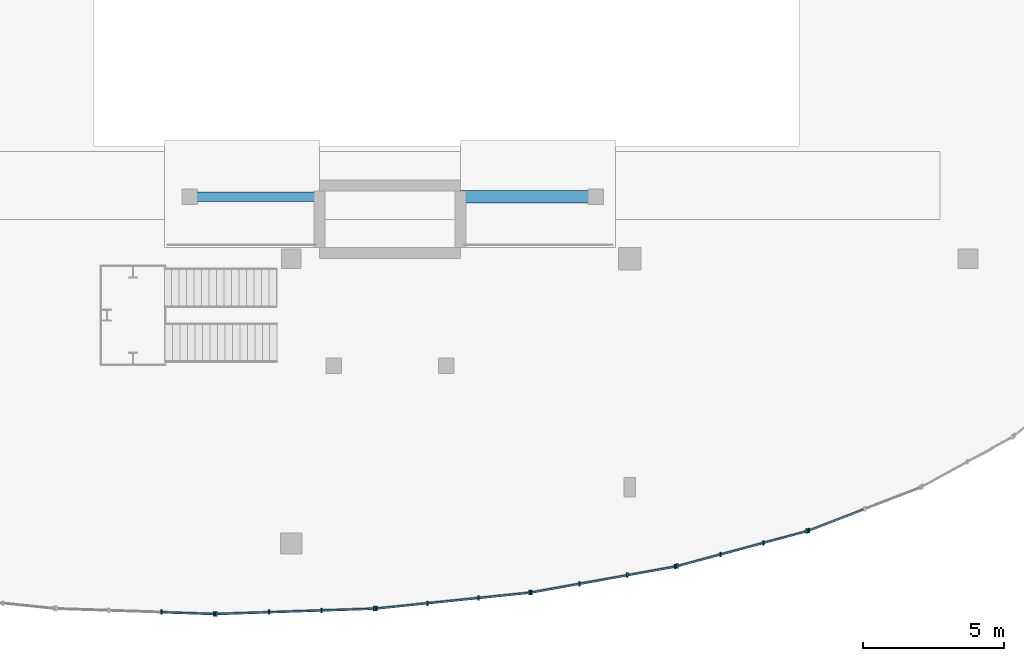
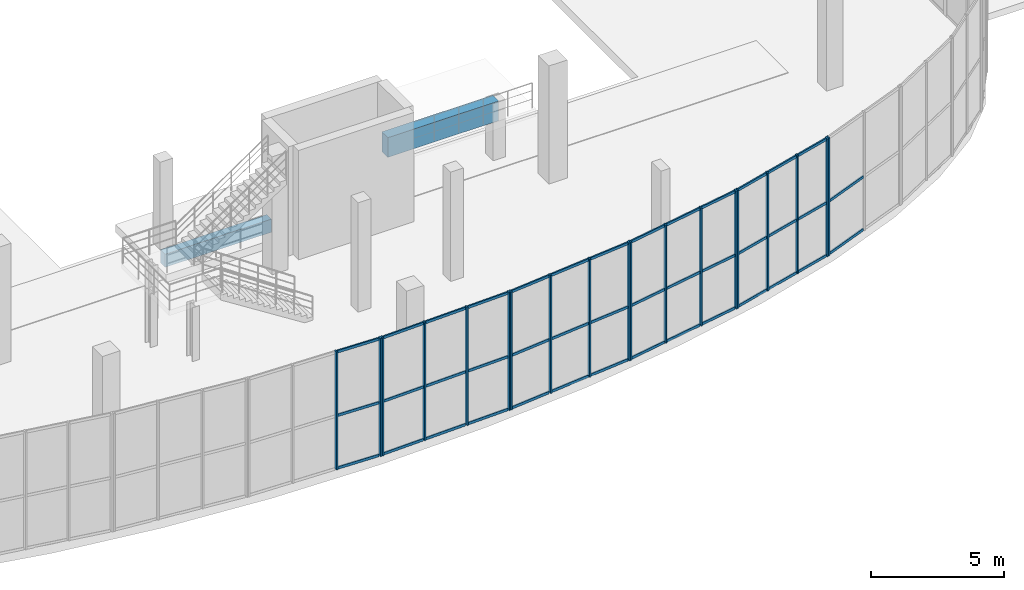
# One storey, part 31 of 85: 60 members, 2 beams, 6 elements without a shape of their own.
"""IFC4 building model written with IfcOpenShell, lengths in metres."""

from ifc_helpers import new_model, si_unit, direction, frame, origin, origin_2d, place, context, subcontext, project, spatial, rectangle, extrude, material, material_profile, profile_set, type_object, element, aggregate, save


model = new_model("IFC4")

# Units and contexts
model_context = context("Model", 3, precision=1e-05, world=origin(), true_north=direction((0.0, 1.0)))
body_context = subcontext(model_context, "Body", "Model", "MODEL_VIEW")
ifc_project = project(units=[si_unit("LENGTHUNIT", "METRE"), si_unit("AREAUNIT", "SQUARE_METRE"), si_unit("VOLUMEUNIT", "CUBIC_METRE"), si_unit("PLANEANGLEUNIT", "RADIAN"), si_unit("MASSUNIT", "GRAM", prefix="KILO"), si_unit("THERMODYNAMICTEMPERATUREUNIT", "KELVIN"), si_unit("POWERUNIT", "WATT")], contexts=[model_context])

# Site, building, storey
site_placement = place(None, origin())
site = spatial("IfcSite", under=ifc_project, at=site_placement, CompositionType="ELEMENT")
building_placement = place(site_placement, origin())
building = spatial("IfcBuilding", under=site, at=building_placement, Name="Solmara Park Aquatics Centre", CompositionType="ELEMENT")
storey_placement = place(building_placement, origin())
storey = spatial("IfcBuildingStorey", under=building, at=storey_placement, Name="L00", CompositionType="ELEMENT", Elevation=0.0)

# Curtain wall, members
ifc_material_1 = material(Name="Anodised Aluminium Curtain Wall Framing", Category="aluminium")
curtain_wall_type = type_object("IfcCurtainWallType", Name="ARC-CW-SYS02", PredefinedType="USERDEFINED", material=ifc_material_1)
curtain_wall_1_placement = place(storey_placement, origin())
curtain_wall_1 = element("IfcCurtainWall", 1, at=curtain_wall_1_placement, inside=storey, type_object=curtain_wall_type, Name="Curtain Wall CW-043", ObjectType="CURTAIN WALL", PredefinedType="USERDEFINED")
ifc_material_2 = material(Name="Anodised Aluminium Alloy 6063-T6", Category="aluminium")
ifc_material_profile_1 = material_profile(ifc_material_2, rectangle(XDim=0.06005859375, YDim=0.159912109375, at=origin_2d()), Name="ALU MULLION 60x160")
ifc_profile_set_1 = profile_set([ifc_material_profile_1], Name="Anodised Aluminium Alloy 6063-T6")
member_type_1 = type_object("IfcMemberType", Name="ARC-CWM-60x160", PredefinedType="MULLION", material=ifc_profile_set_1)
member_1_placement = place(storey_placement, frame((127.393798828125, 0.064208984375, 0.0), z_axis=(0.0, 0.0, 1.0), x_axis=(1.0, 0.0, 0.0)))
member_1 = element("IfcMember", 2, at=member_1_placement, type_object=member_type_1, Name="CW-043 mullion 3", PredefinedType="MULLION", context=body_context, shape_type="SweptSolid", body=[
    extrude(rectangle(XDim=0.06005859375, YDim=0.159912109375, at=origin_2d()), origin(), (0.0, 0.0, 1.0), 5.39990234375),
])
member_2_placement = place(storey_placement, frame((129.260009765625, 0.001220703125, 0.0), z_axis=(0.0, 0.0, 1.0), x_axis=(1.0, 0.0, 0.0)))
member_2 = element("IfcMember", 3, at=member_2_placement, type_object=member_type_1, Name="CW-043 mullion 4", PredefinedType="MULLION", context=body_context, shape_type="SweptSolid", body=[
    extrude(rectangle(XDim=0.06005859375, YDim=0.159912109375, at=origin_2d()), origin(), (0.0, 0.0, 1.0), 5.39990234375),
])

curtain_wall_2_placement = place(storey_placement, origin())
curtain_wall_2 = element("IfcCurtainWall", 4, at=curtain_wall_2_placement, inside=storey, type_object=curtain_wall_type, Name="Curtain Wall CW-046", ObjectType="CURTAIN WALL", PredefinedType="USERDEFINED")
member_3_placement = place(storey_placement, frame((129.340087890625, 0.001220703125, 0.0), z_axis=(0.0, 0.0, 1.0), x_axis=(1.0, 0.0, 0.0)))
member_3 = element("IfcMember", 5, at=member_3_placement, type_object=member_type_1, Name="CW-046 mullion 1", PredefinedType="MULLION", context=body_context, shape_type="SweptSolid", body=[
    extrude(rectangle(XDim=0.06005859375, YDim=0.159912109375, at=origin_2d()), origin(), (0.0, 0.0, 1.0), 5.39990234375),
])
member_4_placement = place(storey_placement, frame((131.2060546875, 0.064208984375, 0.0), z_axis=(0.0, 0.0, 1.0), x_axis=(1.0, 0.0, 0.0)))
member_4 = element("IfcMember", 6, at=member_4_placement, type_object=member_type_1, Name="CW-046 mullion 2", PredefinedType="MULLION", context=body_context, shape_type="SweptSolid", body=[
    extrude(rectangle(XDim=0.06005859375, YDim=0.159912109375, at=origin_2d()), origin(), (0.0, 0.0, 1.0), 5.39990234375),
])
member_5_placement = place(storey_placement, frame((133.072265625, 0.127197265625, 0.0), z_axis=(0.0, 0.0, 1.0), x_axis=(1.0, 0.0, 0.0)))
member_5 = element("IfcMember", 7, at=member_5_placement, type_object=member_type_1, Name="CW-046 mullion 3", PredefinedType="MULLION", context=body_context, shape_type="SweptSolid", body=[
    extrude(rectangle(XDim=0.06005859375, YDim=0.159912109375, at=origin_2d()), origin(), (0.0, 0.0, 1.0), 5.39990234375),
])
member_6_placement = place(storey_placement, frame((134.938232421875, 0.190185546875, 0.0), z_axis=(0.0, 0.0, 1.0), x_axis=(1.0, 0.0, 0.0)))
member_6 = element("IfcMember", 8, at=member_6_placement, type_object=member_type_1, Name="CW-046 mullion 4", PredefinedType="MULLION", context=body_context, shape_type="SweptSolid", body=[
    extrude(rectangle(XDim=0.06005859375, YDim=0.159912109375, at=origin_2d()), origin(), (0.0, 0.0, 1.0), 5.39990234375),
])

curtain_wall_3_placement = place(storey_placement, origin())
curtain_wall_3 = element("IfcCurtainWall", 9, at=curtain_wall_3_placement, inside=storey, type_object=curtain_wall_type, Name="Curtain Wall CW-049", ObjectType="CURTAIN WALL", PredefinedType="USERDEFINED")
member_7_placement = place(storey_placement, frame((135.01806640625, 0.195556640625, 0.0), z_axis=(0.0, 0.0, 1.0), x_axis=(1.0, 0.0, 0.0)))
member_7 = element("IfcMember", 10, at=member_7_placement, type_object=member_type_1, Name="CW-049 mullion 1", PredefinedType="MULLION", context=body_context, shape_type="SweptSolid", body=[
    extrude(rectangle(XDim=0.06005859375, YDim=0.159912109375, at=origin_2d()), origin(), (0.0, 0.0, 1.0), 5.39990234375),
])
member_8_placement = place(storey_placement, frame((136.826904296875, 0.38232421875, 0.0), z_axis=(0.0, 0.0, 1.0), x_axis=(1.0, 0.0, 0.0)))
member_8 = element("IfcMember", 11, at=member_8_placement, type_object=member_type_1, Name="CW-049 mullion 2", PredefinedType="MULLION", context=body_context, shape_type="SweptSolid", body=[
    extrude(rectangle(XDim=0.06005859375, YDim=0.159912109375, at=origin_2d()), origin(), (0.0, 0.0, 1.0), 5.39990234375),
])
member_9_placement = place(storey_placement, frame((138.635498046875, 0.569091796875, 0.0), z_axis=(0.0, 0.0, 1.0), x_axis=(1.0, 0.0, 0.0)))
member_9 = element("IfcMember", 12, at=member_9_placement, type_object=member_type_1, Name="CW-049 mullion 3", PredefinedType="MULLION", context=body_context, shape_type="SweptSolid", body=[
    extrude(rectangle(XDim=0.06005859375, YDim=0.159912109375, at=origin_2d()), origin(), (0.0, 0.0, 1.0), 5.39990234375),
])
member_10_placement = place(storey_placement, frame((140.4443359375, 0.755859375, 0.0), z_axis=(0.0, 0.0, 1.0), x_axis=(1.0, 0.0, 0.0)))
member_10 = element("IfcMember", 13, at=member_10_placement, type_object=member_type_1, Name="CW-049 mullion 4", PredefinedType="MULLION", context=body_context, shape_type="SweptSolid", body=[
    extrude(rectangle(XDim=0.06005859375, YDim=0.159912109375, at=origin_2d()), origin(), (0.0, 0.0, 1.0), 5.39990234375),
])

curtain_wall_4_placement = place(storey_placement, origin())
curtain_wall_4 = element("IfcCurtainWall", 14, at=curtain_wall_4_placement, inside=storey, type_object=curtain_wall_type, Name="Curtain Wall CW-052", ObjectType="CURTAIN WALL", PredefinedType="USERDEFINED")
member_11_placement = place(storey_placement, frame((140.5234375, 0.76708984375, 0.0), z_axis=(0.0, 0.0, 1.0), x_axis=(1.0, 0.0, 0.0)))
member_11 = element("IfcMember", 15, at=member_11_placement, type_object=member_type_1, Name="CW-052 mullion 1", PredefinedType="MULLION", context=body_context, shape_type="SweptSolid", body=[
    extrude(rectangle(XDim=0.06005859375, YDim=0.159912109375, at=origin_2d()), origin(), (0.0, 0.0, 1.0), 5.39990234375),
])
member_12_placement = place(storey_placement, frame((142.21923828125, 1.07177734375, 0.0), z_axis=(0.0, 0.0, 1.0), x_axis=(1.0, 0.0, 0.0)))
member_12 = element("IfcMember", 16, at=member_12_placement, type_object=member_type_1, Name="CW-052 mullion 2", PredefinedType="MULLION", context=body_context, shape_type="SweptSolid", body=[
    extrude(rectangle(XDim=0.06005859375, YDim=0.159912109375, at=origin_2d()), origin(), (0.0, 0.0, 1.0), 5.39990234375),
])
member_13_placement = place(storey_placement, frame((143.914794921875, 1.376220703125, 0.0), z_axis=(0.0, 0.0, 1.0), x_axis=(1.0, 0.0, 0.0)))
member_13 = element("IfcMember", 17, at=member_13_placement, type_object=member_type_1, Name="CW-052 mullion 3", PredefinedType="MULLION", context=body_context, shape_type="SweptSolid", body=[
    extrude(rectangle(XDim=0.06005859375, YDim=0.159912109375, at=origin_2d()), origin(), (0.0, 0.0, 1.0), 5.39990234375),
])
member_14_placement = place(storey_placement, frame((145.610595703125, 1.680908203125, 0.0), z_axis=(0.0, 0.0, 1.0), x_axis=(1.0, 0.0, 0.0)))
member_14 = element("IfcMember", 18, at=member_14_placement, type_object=member_type_1, Name="CW-052 mullion 4", PredefinedType="MULLION", context=body_context, shape_type="SweptSolid", body=[
    extrude(rectangle(XDim=0.06005859375, YDim=0.159912109375, at=origin_2d()), origin(), (0.0, 0.0, 1.0), 5.39990234375),
])

curtain_wall_5_placement = place(storey_placement, origin())
curtain_wall_5 = element("IfcCurtainWall", 19, at=curtain_wall_5_placement, inside=storey, type_object=curtain_wall_type, Name="Curtain Wall CW-055", ObjectType="CURTAIN WALL", PredefinedType="USERDEFINED")
member_15_placement = place(storey_placement, frame((145.688720703125, 1.698486328125, 0.0), z_axis=(0.0, 0.0, 1.0), x_axis=(1.0, 0.0, 0.0)))
member_15 = element("IfcMember", 20, at=member_15_placement, type_object=member_type_1, Name="CW-055 mullion 1", PredefinedType="MULLION", context=body_context, shape_type="SweptSolid", body=[
    extrude(rectangle(XDim=0.06005859375, YDim=0.159912109375, at=origin_2d()), origin(), (0.0, 0.0, 1.0), 5.39990234375),
])
member_16_placement = place(storey_placement, frame((147.21923828125, 2.111572265625, 0.0), z_axis=(0.0, 0.0, 1.0), x_axis=(1.0, 0.0, 0.0)))
member_16 = element("IfcMember", 21, at=member_16_placement, type_object=member_type_1, Name="CW-055 mullion 2", PredefinedType="MULLION", context=body_context, shape_type="SweptSolid", body=[
    extrude(rectangle(XDim=0.06005859375, YDim=0.159912109375, at=origin_2d()), origin(), (0.0, 0.0, 1.0), 5.39990234375),
])
member_17_placement = place(storey_placement, frame((148.75, 2.5244140625, 0.0), z_axis=(0.0, 0.0, 1.0), x_axis=(1.0, 0.0, 0.0)))
member_17 = element("IfcMember", 22, at=member_17_placement, type_object=member_type_1, Name="CW-055 mullion 3", PredefinedType="MULLION", context=body_context, shape_type="SweptSolid", body=[
    extrude(rectangle(XDim=0.06005859375, YDim=0.159912109375, at=origin_2d()), origin(), (0.0, 0.0, 1.0), 5.39990234375),
])
member_18_placement = place(storey_placement, frame((150.280517578125, 2.9375, 0.0), z_axis=(0.0, 0.0, 1.0), x_axis=(1.0, 0.0, 0.0)))
member_18 = element("IfcMember", 23, at=member_18_placement, type_object=member_type_1, Name="CW-055 mullion 4", PredefinedType="MULLION", context=body_context, shape_type="SweptSolid", body=[
    extrude(rectangle(XDim=0.06005859375, YDim=0.159912109375, at=origin_2d()), origin(), (0.0, 0.0, 1.0), 5.39990234375),
])

# Curtain wall, member
curtain_wall_6_placement = place(storey_placement, origin())
curtain_wall_6 = element("IfcCurtainWall", 24, at=curtain_wall_6_placement, inside=storey, type_object=curtain_wall_type, Name="Curtain Wall CW-058", ObjectType="CURTAIN WALL", PredefinedType="USERDEFINED")
member_19_placement = place(storey_placement, frame((150.3564453125, 2.962158203125, 0.0), z_axis=(0.0, 0.0, 1.0), x_axis=(1.0, 0.0, 0.0)))
member_19 = element("IfcMember", 25, at=member_19_placement, type_object=member_type_1, Name="CW-058 mullion 1", PredefinedType="MULLION", context=body_context, shape_type="SweptSolid", body=[
    extrude(rectangle(XDim=0.06005859375, YDim=0.159912109375, at=origin_2d()), origin(), (0.0, 0.0, 1.0), 5.39990234375),
])

# Member
ifc_material_profile_2 = material_profile(ifc_material_2, rectangle(XDim=0.06005859375, YDim=0.1201171875, at=origin_2d()), Name="ALU TRANSOM 60x120")
ifc_profile_set_2 = profile_set([ifc_material_profile_2], Name="Anodised Aluminium Alloy 6063-T6")
member_type_2 = type_object("IfcMemberType", Name="ARC-CWT-60x120", PredefinedType="USERDEFINED", material=ifc_profile_set_2)
member_20_placement = place(storey_placement, frame((127.413818359375, 0.063720703125, 0.0400390625), z_axis=(0.999430718823, -0.03373778701, 0.0), x_axis=(0.03373778701, 0.999430718823, 0.0)))
member_20 = element("IfcMember", 26, at=member_20_placement, type_object=member_type_2, Name="CW-043 transom 7", ObjectType="TRANSOM", PredefinedType="USERDEFINED", context=body_context, shape_type="SweptSolid", body=[
    extrude(rectangle(XDim=0.06005859375, YDim=0.1201171875, at=origin_2d()), origin(), (0.0, 0.0, 1.0), 1.787353515625),
])

member_21_placement = place(storey_placement, frame((127.413818359375, 0.063720703125, 2.449951171875), z_axis=(0.999430718823, -0.03373778701, 0.0), x_axis=(0.03373778701, 0.999430718823, 0.0)))
member_21 = element("IfcMember", 27, at=member_21_placement, type_object=member_type_2, Name="CW-043 transom 8", ObjectType="TRANSOM", PredefinedType="USERDEFINED", context=body_context, shape_type="SweptSolid", body=[
    extrude(rectangle(XDim=0.06005859375, YDim=0.1201171875, at=origin_2d()), origin(), (0.0, 0.0, 1.0), 1.787353515625),
])

member_22_placement = place(storey_placement, frame((127.413818359375, 0.063720703125, 5.360107421875), z_axis=(0.999430718823, -0.03373778701, 0.0), x_axis=(0.03373778701, 0.999430718823, 0.0)))
member_22 = element("IfcMember", 28, at=member_22_placement, type_object=member_type_2, Name="CW-043 transom 9", ObjectType="TRANSOM", PredefinedType="USERDEFINED", context=body_context, shape_type="SweptSolid", body=[
    extrude(rectangle(XDim=0.06005859375, YDim=0.1201171875, at=origin_2d()), origin(), (0.0, 0.0, 1.0), 1.787353515625),
])

aggregate(curtain_wall_1, [member_1, member_2, member_20, member_21, member_22])

member_23_placement = place(storey_placement, frame((129.360107421875, 0.001953125, 0.0400390625), z_axis=(0.999430407751, 0.033747000781, 0.0), x_axis=(-0.033747000781, 0.999430407751, 0.0)))
member_23 = element("IfcMember", 29, at=member_23_placement, type_object=member_type_2, Name="CW-046 transom 1", ObjectType="TRANSOM", PredefinedType="USERDEFINED", context=body_context, shape_type="SweptSolid", body=[
    extrude(rectangle(XDim=0.06005859375, YDim=0.1201171875, at=origin_2d()), origin(), (0.0, 0.0, 1.0), 1.786865234375),
])

member_24_placement = place(storey_placement, frame((129.360107421875, 0.001953125, 2.449951171875), z_axis=(0.999430407751, 0.033747000781, 0.0), x_axis=(-0.033747000781, 0.999430407751, 0.0)))
member_24 = element("IfcMember", 30, at=member_24_placement, type_object=member_type_2, Name="CW-046 transom 2", ObjectType="TRANSOM", PredefinedType="USERDEFINED", context=body_context, shape_type="SweptSolid", body=[
    extrude(rectangle(XDim=0.06005859375, YDim=0.1201171875, at=origin_2d()), origin(), (0.0, 0.0, 1.0), 1.786865234375),
])

member_25_placement = place(storey_placement, frame((129.360107421875, 0.001953125, 5.360107421875), z_axis=(0.999430407751, 0.033747000781, 0.0), x_axis=(-0.033747000781, 0.999430407751, 0.0)))
member_25 = element("IfcMember", 31, at=member_25_placement, type_object=member_type_2, Name="CW-046 transom 3", ObjectType="TRANSOM", PredefinedType="USERDEFINED", context=body_context, shape_type="SweptSolid", body=[
    extrude(rectangle(XDim=0.06005859375, YDim=0.1201171875, at=origin_2d()), origin(), (0.0, 0.0, 1.0), 1.786865234375),
])

member_26_placement = place(storey_placement, frame((131.22607421875, 0.06494140625, 0.0400390625), z_axis=(0.999435160911, 0.033605938981, 0.0), x_axis=(-0.033605938981, 0.999435160911, 0.0)))
member_26 = element("IfcMember", 32, at=member_26_placement, type_object=member_type_2, Name="CW-046 transom 4", ObjectType="TRANSOM", PredefinedType="USERDEFINED", context=body_context, shape_type="SweptSolid", body=[
    extrude(rectangle(XDim=0.06005859375, YDim=0.1201171875, at=origin_2d()), origin(), (0.0, 0.0, 1.0), 1.787109375),
])

member_27_placement = place(storey_placement, frame((131.22607421875, 0.06494140625, 2.449951171875), z_axis=(0.999435160911, 0.033605938981, 0.0), x_axis=(-0.033605938981, 0.999435160911, 0.0)))
member_27 = element("IfcMember", 33, at=member_27_placement, type_object=member_type_2, Name="CW-046 transom 5", ObjectType="TRANSOM", PredefinedType="USERDEFINED", context=body_context, shape_type="SweptSolid", body=[
    extrude(rectangle(XDim=0.06005859375, YDim=0.1201171875, at=origin_2d()), origin(), (0.0, 0.0, 1.0), 1.787109375),
])

member_28_placement = place(storey_placement, frame((131.22607421875, 0.06494140625, 5.360107421875), z_axis=(0.999435160911, 0.033605938981, 0.0), x_axis=(-0.033605938981, 0.999435160911, 0.0)))
member_28 = element("IfcMember", 34, at=member_28_placement, type_object=member_type_2, Name="CW-046 transom 6", ObjectType="TRANSOM", PredefinedType="USERDEFINED", context=body_context, shape_type="SweptSolid", body=[
    extrude(rectangle(XDim=0.06005859375, YDim=0.1201171875, at=origin_2d()), origin(), (0.0, 0.0, 1.0), 1.787109375),
])

member_29_placement = place(storey_placement, frame((133.09228515625, 0.127685546875, 0.0400390625), z_axis=(0.999430563319, 0.033742393267, 0.0), x_axis=(-0.033742393267, 0.999430563319, 0.0)))
member_29 = element("IfcMember", 35, at=member_29_placement, type_object=member_type_2, Name="CW-046 transom 7", ObjectType="TRANSOM", PredefinedType="USERDEFINED", context=body_context, shape_type="SweptSolid", body=[
    extrude(rectangle(XDim=0.06005859375, YDim=0.1201171875, at=origin_2d()), origin(), (0.0, 0.0, 1.0), 1.787109375),
])

member_30_placement = place(storey_placement, frame((133.09228515625, 0.127685546875, 2.449951171875), z_axis=(0.999430563319, 0.033742393267, 0.0), x_axis=(-0.033742393267, 0.999430563319, 0.0)))
member_30 = element("IfcMember", 36, at=member_30_placement, type_object=member_type_2, Name="CW-046 transom 8", ObjectType="TRANSOM", PredefinedType="USERDEFINED", context=body_context, shape_type="SweptSolid", body=[
    extrude(rectangle(XDim=0.06005859375, YDim=0.1201171875, at=origin_2d()), origin(), (0.0, 0.0, 1.0), 1.787109375),
])

member_31_placement = place(storey_placement, frame((133.09228515625, 0.127685546875, 5.360107421875), z_axis=(0.999430563319, 0.033742393267, 0.0), x_axis=(-0.033742393267, 0.999430563319, 0.0)))
member_31 = element("IfcMember", 37, at=member_31_placement, type_object=member_type_2, Name="CW-046 transom 9", ObjectType="TRANSOM", PredefinedType="USERDEFINED", context=body_context, shape_type="SweptSolid", body=[
    extrude(rectangle(XDim=0.06005859375, YDim=0.1201171875, at=origin_2d()), origin(), (0.0, 0.0, 1.0), 1.787109375),
])

aggregate(curtain_wall_2, [member_3, member_4, member_5, member_6, member_23, member_24, member_25, member_26, member_27, member_28, member_29, member_30, member_31])

member_32_placement = place(storey_placement, frame((135.0380859375, 0.197509765625, 0.0400390625), z_axis=(0.994700713096, 0.102812894943, 0.0), x_axis=(-0.102812894943, 0.994700713096, 0.0)))
member_32 = element("IfcMember", 38, at=member_32_placement, type_object=member_type_2, Name="CW-049 transom 1", ObjectType="TRANSOM", PredefinedType="USERDEFINED", context=body_context, shape_type="SweptSolid", body=[
    extrude(rectangle(XDim=0.06005859375, YDim=0.1201171875, at=origin_2d()), origin(), (0.0, 0.0, 1.0), 1.73828125),
])

member_33_placement = place(storey_placement, frame((135.0380859375, 0.197509765625, 2.449951171875), z_axis=(0.994700713096, 0.102812894943, 0.0), x_axis=(-0.102812894943, 0.994700713096, 0.0)))
member_33 = element("IfcMember", 39, at=member_33_placement, type_object=member_type_2, Name="CW-049 transom 2", ObjectType="TRANSOM", PredefinedType="USERDEFINED", context=body_context, shape_type="SweptSolid", body=[
    extrude(rectangle(XDim=0.06005859375, YDim=0.1201171875, at=origin_2d()), origin(), (0.0, 0.0, 1.0), 1.73828125),
])

member_34_placement = place(storey_placement, frame((135.0380859375, 0.197509765625, 5.360107421875), z_axis=(0.994700713096, 0.102812894943, 0.0), x_axis=(-0.102812894943, 0.994700713096, 0.0)))
member_34 = element("IfcMember", 40, at=member_34_placement, type_object=member_type_2, Name="CW-049 transom 3", ObjectType="TRANSOM", PredefinedType="USERDEFINED", context=body_context, shape_type="SweptSolid", body=[
    extrude(rectangle(XDim=0.06005859375, YDim=0.1201171875, at=origin_2d()), origin(), (0.0, 0.0, 1.0), 1.73828125),
])

member_35_placement = place(storey_placement, frame((136.8466796875, 0.38427734375, 0.0400390625), z_axis=(0.994702197461, 0.102798532901, 0.0), x_axis=(-0.102798532901, 0.994702197461, 0.0)))
member_35 = element("IfcMember", 41, at=member_35_placement, type_object=member_type_2, Name="CW-049 transom 4", ObjectType="TRANSOM", PredefinedType="USERDEFINED", context=body_context, shape_type="SweptSolid", body=[
    extrude(rectangle(XDim=0.06005859375, YDim=0.1201171875, at=origin_2d()), origin(), (0.0, 0.0, 1.0), 1.738525390625),
])

member_36_placement = place(storey_placement, frame((136.8466796875, 0.38427734375, 2.449951171875), z_axis=(0.994702197461, 0.102798532901, 0.0), x_axis=(-0.102798532901, 0.994702197461, 0.0)))
member_36 = element("IfcMember", 42, at=member_36_placement, type_object=member_type_2, Name="CW-049 transom 5", ObjectType="TRANSOM", PredefinedType="USERDEFINED", context=body_context, shape_type="SweptSolid", body=[
    extrude(rectangle(XDim=0.06005859375, YDim=0.1201171875, at=origin_2d()), origin(), (0.0, 0.0, 1.0), 1.738525390625),
])

member_37_placement = place(storey_placement, frame((136.8466796875, 0.38427734375, 5.360107421875), z_axis=(0.994702197461, 0.102798532901, 0.0), x_axis=(-0.102798532901, 0.994702197461, 0.0)))
member_37 = element("IfcMember", 43, at=member_37_placement, type_object=member_type_2, Name="CW-049 transom 6", ObjectType="TRANSOM", PredefinedType="USERDEFINED", context=body_context, shape_type="SweptSolid", body=[
    extrude(rectangle(XDim=0.06005859375, YDim=0.1201171875, at=origin_2d()), origin(), (0.0, 0.0, 1.0), 1.738525390625),
])

member_38_placement = place(storey_placement, frame((138.655517578125, 0.571044921875, 0.0400390625), z_axis=(0.994715067632, 0.102673921836, 0.0), x_axis=(-0.102673921836, 0.994715067632, 0.0)))
member_38 = element("IfcMember", 44, at=member_38_placement, type_object=member_type_2, Name="CW-049 transom 7", ObjectType="TRANSOM", PredefinedType="USERDEFINED", context=body_context, shape_type="SweptSolid", body=[
    extrude(rectangle(XDim=0.06005859375, YDim=0.1201171875, at=origin_2d()), origin(), (0.0, 0.0, 1.0), 1.73828125),
])

member_39_placement = place(storey_placement, frame((138.655517578125, 0.571044921875, 2.449951171875), z_axis=(0.994715067632, 0.102673921836, 0.0), x_axis=(-0.102673921836, 0.994715067632, 0.0)))
member_39 = element("IfcMember", 45, at=member_39_placement, type_object=member_type_2, Name="CW-049 transom 8", ObjectType="TRANSOM", PredefinedType="USERDEFINED", context=body_context, shape_type="SweptSolid", body=[
    extrude(rectangle(XDim=0.06005859375, YDim=0.1201171875, at=origin_2d()), origin(), (0.0, 0.0, 1.0), 1.73828125),
])

member_40_placement = place(storey_placement, frame((138.655517578125, 0.571044921875, 5.360107421875), z_axis=(0.994715067632, 0.102673921836, 0.0), x_axis=(-0.102673921836, 0.994715067632, 0.0)))
member_40 = element("IfcMember", 46, at=member_40_placement, type_object=member_type_2, Name="CW-049 transom 9", ObjectType="TRANSOM", PredefinedType="USERDEFINED", context=body_context, shape_type="SweptSolid", body=[
    extrude(rectangle(XDim=0.06005859375, YDim=0.1201171875, at=origin_2d()), origin(), (0.0, 0.0, 1.0), 1.73828125),
])

aggregate(curtain_wall_3, [member_7, member_8, member_9, member_10, member_32, member_33, member_34, member_35, member_36, member_37, member_38, member_39, member_40])

member_41_placement = place(storey_placement, frame((140.543212890625, 0.7705078125, 0.0400390625), z_axis=(0.984238723522, 0.176844946549, 0.0), x_axis=(-0.176844946549, 0.984238723522, 0.0)))
member_41 = element("IfcMember", 47, at=member_41_placement, type_object=member_type_2, Name="CW-052 transom 1", ObjectType="TRANSOM", PredefinedType="USERDEFINED", context=body_context, shape_type="SweptSolid", body=[
    extrude(rectangle(XDim=0.06005859375, YDim=0.1201171875, at=origin_2d()), origin(), (0.0, 0.0, 1.0), 1.642822265625),
])

member_42_placement = place(storey_placement, frame((140.543212890625, 0.7705078125, 2.449951171875), z_axis=(0.984238723522, 0.176844946549, 0.0), x_axis=(-0.176844946549, 0.984238723522, 0.0)))
member_42 = element("IfcMember", 48, at=member_42_placement, type_object=member_type_2, Name="CW-052 transom 2", ObjectType="TRANSOM", PredefinedType="USERDEFINED", context=body_context, shape_type="SweptSolid", body=[
    extrude(rectangle(XDim=0.06005859375, YDim=0.1201171875, at=origin_2d()), origin(), (0.0, 0.0, 1.0), 1.642822265625),
])

member_43_placement = place(storey_placement, frame((140.543212890625, 0.7705078125, 5.360107421875), z_axis=(0.984238723522, 0.176844946549, 0.0), x_axis=(-0.176844946549, 0.984238723522, 0.0)))
member_43 = element("IfcMember", 49, at=member_43_placement, type_object=member_type_2, Name="CW-052 transom 3", ObjectType="TRANSOM", PredefinedType="USERDEFINED", context=body_context, shape_type="SweptSolid", body=[
    extrude(rectangle(XDim=0.06005859375, YDim=0.1201171875, at=origin_2d()), origin(), (0.0, 0.0, 1.0), 1.642822265625),
])

member_44_placement = place(storey_placement, frame((142.239013671875, 1.0751953125, 0.0400390625), z_axis=(0.984238723522, 0.176844946549, 0.0), x_axis=(-0.176844946549, 0.984238723522, 0.0)))
member_44 = element("IfcMember", 50, at=member_44_placement, type_object=member_type_2, Name="CW-052 transom 4", ObjectType="TRANSOM", PredefinedType="USERDEFINED", context=body_context, shape_type="SweptSolid", body=[
    extrude(rectangle(XDim=0.06005859375, YDim=0.1201171875, at=origin_2d()), origin(), (0.0, 0.0, 1.0), 1.642822265625),
])

member_45_placement = place(storey_placement, frame((142.239013671875, 1.0751953125, 2.449951171875), z_axis=(0.984238723522, 0.176844946549, 0.0), x_axis=(-0.176844946549, 0.984238723522, 0.0)))
member_45 = element("IfcMember", 51, at=member_45_placement, type_object=member_type_2, Name="CW-052 transom 5", ObjectType="TRANSOM", PredefinedType="USERDEFINED", context=body_context, shape_type="SweptSolid", body=[
    extrude(rectangle(XDim=0.06005859375, YDim=0.1201171875, at=origin_2d()), origin(), (0.0, 0.0, 1.0), 1.642822265625),
])

member_46_placement = place(storey_placement, frame((142.239013671875, 1.0751953125, 5.360107421875), z_axis=(0.984238723522, 0.176844946549, 0.0), x_axis=(-0.176844946549, 0.984238723522, 0.0)))
member_46 = element("IfcMember", 52, at=member_46_placement, type_object=member_type_2, Name="CW-052 transom 6", ObjectType="TRANSOM", PredefinedType="USERDEFINED", context=body_context, shape_type="SweptSolid", body=[
    extrude(rectangle(XDim=0.06005859375, YDim=0.1201171875, at=origin_2d()), origin(), (0.0, 0.0, 1.0), 1.642822265625),
])

member_47_placement = place(storey_placement, frame((143.9345703125, 1.3798828125, 0.0400390625), z_axis=(0.984238723522, 0.176844946549, 0.0), x_axis=(-0.176844946549, 0.984238723522, 0.0)))
member_47 = element("IfcMember", 53, at=member_47_placement, type_object=member_type_2, Name="CW-052 transom 7", ObjectType="TRANSOM", PredefinedType="USERDEFINED", context=body_context, shape_type="SweptSolid", body=[
    extrude(rectangle(XDim=0.06005859375, YDim=0.1201171875, at=origin_2d()), origin(), (0.0, 0.0, 1.0), 1.642822265625),
])

member_48_placement = place(storey_placement, frame((143.9345703125, 1.3798828125, 2.449951171875), z_axis=(0.984238723522, 0.176844946549, 0.0), x_axis=(-0.176844946549, 0.984238723522, 0.0)))
member_48 = element("IfcMember", 54, at=member_48_placement, type_object=member_type_2, Name="CW-052 transom 8", ObjectType="TRANSOM", PredefinedType="USERDEFINED", context=body_context, shape_type="SweptSolid", body=[
    extrude(rectangle(XDim=0.06005859375, YDim=0.1201171875, at=origin_2d()), origin(), (0.0, 0.0, 1.0), 1.642822265625),
])

member_49_placement = place(storey_placement, frame((143.9345703125, 1.3798828125, 5.360107421875), z_axis=(0.984238723522, 0.176844946549, 0.0), x_axis=(-0.176844946549, 0.984238723522, 0.0)))
member_49 = element("IfcMember", 55, at=member_49_placement, type_object=member_type_2, Name="CW-052 transom 9", ObjectType="TRANSOM", PredefinedType="USERDEFINED", context=body_context, shape_type="SweptSolid", body=[
    extrude(rectangle(XDim=0.06005859375, YDim=0.1201171875, at=origin_2d()), origin(), (0.0, 0.0, 1.0), 1.642822265625),
])

aggregate(curtain_wall_4, [member_11, member_12, member_13, member_14, member_41, member_42, member_43, member_44, member_45, member_46, member_47, member_48, member_49])

member_50_placement = place(storey_placement, frame((145.7080078125, 1.70361328125, 0.0400390625), z_axis=(0.965482529069, 0.26046782155, 0.0), x_axis=(-0.26046782155, 0.965482529069, 0.0)))
member_50 = element("IfcMember", 56, at=member_50_placement, type_object=member_type_2, Name="CW-055 transom 1", ObjectType="TRANSOM", PredefinedType="USERDEFINED", context=body_context, shape_type="SweptSolid", body=[
    extrude(rectangle(XDim=0.06005859375, YDim=0.1201171875, at=origin_2d()), origin(), (0.0, 0.0, 1.0), 1.50537109375),
])

member_51_placement = place(storey_placement, frame((145.7080078125, 1.70361328125, 2.449951171875), z_axis=(0.965482529069, 0.26046782155, 0.0), x_axis=(-0.26046782155, 0.965482529069, 0.0)))
member_51 = element("IfcMember", 57, at=member_51_placement, type_object=member_type_2, Name="CW-055 transom 2", ObjectType="TRANSOM", PredefinedType="USERDEFINED", context=body_context, shape_type="SweptSolid", body=[
    extrude(rectangle(XDim=0.06005859375, YDim=0.1201171875, at=origin_2d()), origin(), (0.0, 0.0, 1.0), 1.50537109375),
])

member_52_placement = place(storey_placement, frame((145.7080078125, 1.70361328125, 5.360107421875), z_axis=(0.965482529069, 0.26046782155, 0.0), x_axis=(-0.26046782155, 0.965482529069, 0.0)))
member_52 = element("IfcMember", 58, at=member_52_placement, type_object=member_type_2, Name="CW-055 transom 3", ObjectType="TRANSOM", PredefinedType="USERDEFINED", context=body_context, shape_type="SweptSolid", body=[
    extrude(rectangle(XDim=0.06005859375, YDim=0.1201171875, at=origin_2d()), origin(), (0.0, 0.0, 1.0), 1.50537109375),
])

member_53_placement = place(storey_placement, frame((147.238525390625, 2.11669921875, 0.0400390625), z_axis=(0.965482529069, 0.26046782155, 0.0), x_axis=(-0.26046782155, 0.965482529069, 0.0)))
member_53 = element("IfcMember", 59, at=member_53_placement, type_object=member_type_2, Name="CW-055 transom 4", ObjectType="TRANSOM", PredefinedType="USERDEFINED", context=body_context, shape_type="SweptSolid", body=[
    extrude(rectangle(XDim=0.06005859375, YDim=0.1201171875, at=origin_2d()), origin(), (0.0, 0.0, 1.0), 1.50537109375),
])

member_54_placement = place(storey_placement, frame((147.238525390625, 2.11669921875, 2.449951171875), z_axis=(0.965482529069, 0.26046782155, 0.0), x_axis=(-0.26046782155, 0.965482529069, 0.0)))
member_54 = element("IfcMember", 60, at=member_54_placement, type_object=member_type_2, Name="CW-055 transom 5", ObjectType="TRANSOM", PredefinedType="USERDEFINED", context=body_context, shape_type="SweptSolid", body=[
    extrude(rectangle(XDim=0.06005859375, YDim=0.1201171875, at=origin_2d()), origin(), (0.0, 0.0, 1.0), 1.50537109375),
])

member_55_placement = place(storey_placement, frame((147.238525390625, 2.11669921875, 5.360107421875), z_axis=(0.965482529069, 0.26046782155, 0.0), x_axis=(-0.26046782155, 0.965482529069, 0.0)))
member_55 = element("IfcMember", 61, at=member_55_placement, type_object=member_type_2, Name="CW-055 transom 6", ObjectType="TRANSOM", PredefinedType="USERDEFINED", context=body_context, shape_type="SweptSolid", body=[
    extrude(rectangle(XDim=0.06005859375, YDim=0.1201171875, at=origin_2d()), origin(), (0.0, 0.0, 1.0), 1.50537109375),
])

member_56_placement = place(storey_placement, frame((148.769287109375, 2.529541015625, 0.0400390625), z_axis=(0.96544173334, 0.260618993025, 0.0), x_axis=(-0.260618993025, 0.96544173334, 0.0)))
member_56 = element("IfcMember", 62, at=member_56_placement, type_object=member_type_2, Name="CW-055 transom 7", ObjectType="TRANSOM", PredefinedType="USERDEFINED", context=body_context, shape_type="SweptSolid", body=[
    extrude(rectangle(XDim=0.06005859375, YDim=0.1201171875, at=origin_2d()), origin(), (0.0, 0.0, 1.0), 1.50537109375),
])

member_57_placement = place(storey_placement, frame((148.769287109375, 2.529541015625, 2.449951171875), z_axis=(0.96544173334, 0.260618993025, 0.0), x_axis=(-0.260618993025, 0.96544173334, 0.0)))
member_57 = element("IfcMember", 63, at=member_57_placement, type_object=member_type_2, Name="CW-055 transom 8", ObjectType="TRANSOM", PredefinedType="USERDEFINED", context=body_context, shape_type="SweptSolid", body=[
    extrude(rectangle(XDim=0.06005859375, YDim=0.1201171875, at=origin_2d()), origin(), (0.0, 0.0, 1.0), 1.50537109375),
])

member_58_placement = place(storey_placement, frame((148.769287109375, 2.529541015625, 5.360107421875), z_axis=(0.96544173334, 0.260618993025, 0.0), x_axis=(-0.260618993025, 0.96544173334, 0.0)))
member_58 = element("IfcMember", 64, at=member_58_placement, type_object=member_type_2, Name="CW-055 transom 9", ObjectType="TRANSOM", PredefinedType="USERDEFINED", context=body_context, shape_type="SweptSolid", body=[
    extrude(rectangle(XDim=0.06005859375, YDim=0.1201171875, at=origin_2d()), origin(), (0.0, 0.0, 1.0), 1.50537109375),
])

aggregate(curtain_wall_5, [member_15, member_16, member_17, member_18, member_50, member_51, member_52, member_53, member_54, member_55, member_56, member_57, member_58])

member_59_placement = place(storey_placement, frame((150.375244140625, 2.969482421875, 0.0400390625), z_axis=(0.933123317616, 0.359556496424, 0.0), x_axis=(-0.359556496424, 0.933123317616, 0.0)))
member_59 = element("IfcMember", 65, at=member_59_placement, type_object=member_type_2, Name="CW-058 transom 1", ObjectType="TRANSOM", PredefinedType="USERDEFINED", context=body_context, shape_type="SweptSolid", body=[
    extrude(rectangle(XDim=0.06005859375, YDim=0.1201171875, at=origin_2d()), origin(), (0.0, 0.0, 1.0), 2.039794921875),
])

member_60_placement = place(storey_placement, frame((150.375244140625, 2.969482421875, 2.449951171875), z_axis=(0.933123317616, 0.359556496424, 0.0), x_axis=(-0.359556496424, 0.933123317616, 0.0)))
member_60 = element("IfcMember", 66, at=member_60_placement, type_object=member_type_2, Name="CW-058 transom 2", ObjectType="TRANSOM", PredefinedType="USERDEFINED", context=body_context, shape_type="SweptSolid", body=[
    extrude(rectangle(XDim=0.06005859375, YDim=0.1201171875, at=origin_2d()), origin(), (0.0, 0.0, 1.0), 2.039794921875),
])

aggregate(curtain_wall_6, [member_19, member_59, member_60])

# Beams
ifc_material_3 = material(Name="Concrete C40/50", Category="concrete")
ifc_material_profile_3 = material_profile(ifc_material_3, rectangle(XDim=0.35009765625, YDim=0.60009765625, at=origin_2d()), Name="RC 350x600")
ifc_profile_set_3 = profile_set([ifc_material_profile_3], Name="Concrete C40/50")
beam_type_1 = type_object("IfcBeamType", Name="STR-BM-RC350x600", PredefinedType="BEAM", material=ifc_profile_set_3)
beam_1_placement = place(storey_placement, frame((128.39990234375, 14.800048828125, 0.340087890625), z_axis=(1.0, 0.0, 0.0), x_axis=(0.0, 1.0, 0.0)))
element("IfcBeam", 67, at=beam_1_placement, inside=storey, type_object=beam_type_1, Name="Diving Platform Support Beam SLB-DIV-1M", PredefinedType="BEAM", context=body_context, shape_type="SweptSolid", body=[
    extrude(rectangle(XDim=0.35009765625, YDim=0.60009765625, at=origin_2d()), origin(), (0.0, 0.0, 1.0), 4.60009765625),
])
ifc_material_profile_4 = material_profile(ifc_material_3, rectangle(XDim=0.449951171875, YDim=0.89990234375, at=origin_2d()), Name="RC 450x900")
ifc_profile_set_4 = profile_set([ifc_material_profile_4], Name="Concrete C40/50")
beam_type_2 = type_object("IfcBeamType", Name="STR-BM-RC450x900", PredefinedType="BEAM", material=ifc_profile_set_4)
beam_2_placement = place(storey_placement, frame((138.0, 14.800048828125, 2.18994140625), z_axis=(1.0, 0.0, 0.0), x_axis=(0.0, 1.0, 0.0)))
element("IfcBeam", 68, at=beam_2_placement, inside=storey, type_object=beam_type_2, Name="Diving Platform Support Beam SLB-DIV-3M", PredefinedType="BEAM", context=body_context, shape_type="SweptSolid", body=[
    extrude(rectangle(XDim=0.449951171875, YDim=0.89990234375, at=origin_2d()), origin(), (0.0, 0.0, 1.0), 4.800048828125),
])

save(model, "model.ifc")
